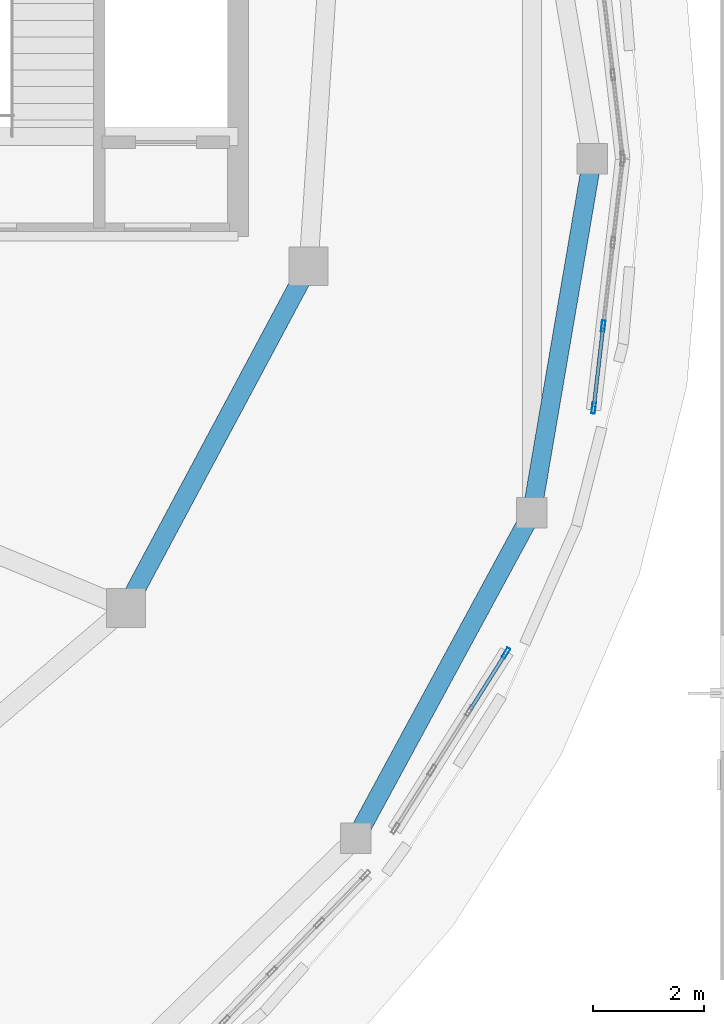
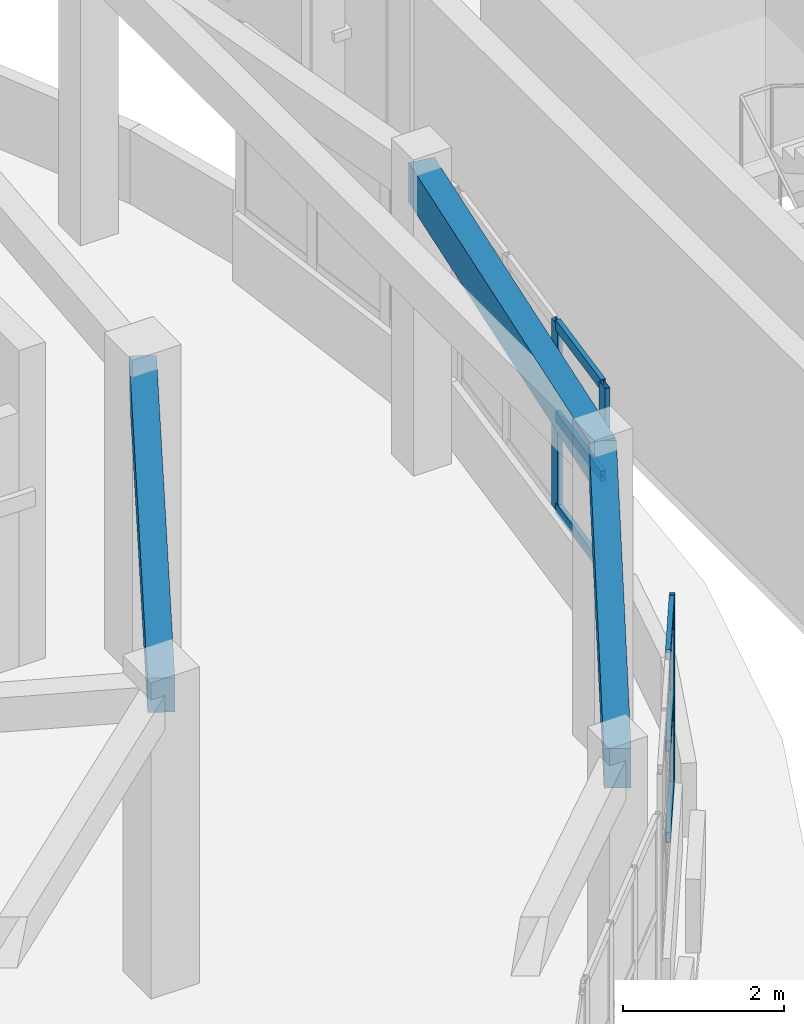
# One storey, part 49 of 98: 9 members, 3 beams, 2 elements without a shape of their own.
"""IFC4 building model written with IfcOpenShell, lengths in metres."""

from ifc_helpers import new_model, si_unit, direction, frame, origin, origin_2d, place, context, subcontext, project, spatial, rectangle, hollow_rectangle, extrude, material, layer, layer_set, material_profile, profile_set, type_object, element, aggregate, save


model = new_model("IFC4")

# Units and contexts
model_context = context("Model", 3, precision=1e-05, world=origin(), true_north=direction((0.0, 1.0)))
body_context = subcontext(model_context, "Body", "Model", "MODEL_VIEW")
ifc_project = project(units=[si_unit("LENGTHUNIT", "METRE"), si_unit("AREAUNIT", "SQUARE_METRE"), si_unit("VOLUMEUNIT", "CUBIC_METRE"), si_unit("PLANEANGLEUNIT", "RADIAN"), si_unit("MASSUNIT", "GRAM", prefix="KILO")], contexts=[model_context])

# Site, building, storey
site_placement = place(None, origin())
site = spatial("IfcSite", under=ifc_project, at=site_placement, CompositionType="ELEMENT")
building_placement = place(site_placement, origin())
building = spatial("IfcBuilding", under=site, at=building_placement, Name="Pelvatis Terrace Science Centre", CompositionType="ELEMENT")
storey_placement = place(building_placement, frame((0.0, 0.0, 5.39990234375)))
storey = spatial("IfcBuildingStorey", under=building, at=storey_placement, Name="L01", CompositionType="ELEMENT", Elevation=5.39990234375)

# Beam
ifc_material_1 = material(Name="Concrete C35/45", Category="concrete")
ifc_material_profile_1 = material_profile(ifc_material_1, rectangle(XDim=0.340087890625, YDim=0.52001953125, at=origin_2d()), Name="RC-BM 340x520")
ifc_profile_set_1 = profile_set([ifc_material_profile_1], Name="Concrete C35/45")
beam_type_1 = type_object("IfcBeamType", Name="BM-RC-340x520", PredefinedType="BEAM", material=ifc_profile_set_1)
beam_1_placement = place(storey_placement, frame((129.57958984375, 74.6884765625, 4.280029296875), z_axis=(0.471365103295, 0.881938172094, 0.0), x_axis=(-0.881938172094, 0.471365103295, 0.0)))
element("IfcBeam", 1, at=beam_1_placement, inside=storey, type_object=beam_type_1, Name="Beam BM-L01-2649", PredefinedType="BEAM", context=body_context, shape_type="SweptSolid", body=[
    extrude(rectangle(XDim=0.340087890625, YDim=0.52001953125, at=origin_2d()), origin(), (0.0, 0.0, 1.0), 6.995849609375),
])

# Curtain wall, member
ifc_material_2 = material(Name="Bronze-anodised aluminium and laminated glass", Category="aluminium")
ifc_layer = layer(ifc_material_2, 0.199951171875)
ifc_layer_set = layer_set([ifc_layer], Name="Bronze-anodised aluminium and laminated glass")
curtain_wall_type = type_object("IfcCurtainWallType", Name="CW-RIBBON-B", PredefinedType="NOTDEFINED", material=ifc_layer_set)
curtain_wall_1_placement = place(storey_placement, origin())
curtain_wall_1 = element("IfcCurtainWall", 2, at=curtain_wall_1_placement, inside=storey, type_object=curtain_wall_type, Name="Ribbon curtain wall CW-152 (L01)", PredefinedType="NOTDEFINED")
ifc_material_3 = material(Name="Bronze-anodised aluminium 6063-T6", Category="aluminium")
ifc_material_profile_2 = material_profile(ifc_material_3, hollow_rectangle(XDim=0.06494140625, YDim=0.199951171875, WallThickness=0.00439453125, at=origin_2d()), Name="ALU-MUL 65x200")
ifc_profile_set_2 = profile_set([ifc_material_profile_2], Name="Bronze-anodised aluminium 6063-T6")
member_type_1 = type_object("IfcMemberType", Name="CWM-65x200", PredefinedType="MULLION", material=ifc_profile_set_2)
member_1_placement = place(storey_placement, frame((136.443115234375, 73.875, 1.02001953125), z_axis=(0.0, 0.0, 1.0), x_axis=(-0.84567026779, 0.53370572245, 0.0)))
member_1 = element("IfcMember", 3, at=member_1_placement, type_object=member_type_1, Name="CW-152 mullion 4", PredefinedType="MULLION", context=body_context, shape_type="SweptSolid", body=[
    extrude(hollow_rectangle(XDim=0.06494140625, YDim=0.199951171875, WallThickness=0.00439453125, at=origin_2d()), origin(), (0.0, 0.0, 1.0), 2.840087890625),
])

# Curtain wall, members
curtain_wall_2_placement = place(storey_placement, origin())
curtain_wall_2 = element("IfcCurtainWall", 4, at=curtain_wall_2_placement, inside=storey, type_object=curtain_wall_type, Name="Ribbon curtain wall CW-153 (L01)", PredefinedType="NOTDEFINED")
member_2_placement = place(storey_placement, frame((138.0263671875, 78.29638671875, 1.02001953125), z_axis=(0.0, 0.0, 1.0), x_axis=(-0.993307847727, 0.115496838239, 0.0)))
member_2 = element("IfcMember", 5, at=member_2_placement, type_object=member_type_1, Name="CW-153 mullion 1", PredefinedType="MULLION", context=body_context, shape_type="SweptSolid", body=[
    extrude(hollow_rectangle(XDim=0.06494140625, YDim=0.199951171875, WallThickness=0.00439453125, at=origin_2d()), origin(), (0.0, 0.0, 1.0), 2.840087890625),
])
member_3_placement = place(storey_placement, frame((138.198486328125, 79.776123046875, 1.02001953125), z_axis=(0.0, 0.0, 1.0), x_axis=(-0.993307847727, 0.115496838239, 0.0)))
member_3 = element("IfcMember", 6, at=member_3_placement, type_object=member_type_1, Name="CW-153 mullion 2", PredefinedType="MULLION", context=body_context, shape_type="SweptSolid", body=[
    extrude(hollow_rectangle(XDim=0.06494140625, YDim=0.199951171875, WallThickness=0.00439453125, at=origin_2d()), origin(), (0.0, 0.0, 1.0), 2.840087890625),
])

# Member
ifc_material_4 = material(Name="Bronze-anodised aluminium 6063-T6", Category="aluminium")
ifc_material_profile_3 = material_profile(ifc_material_4, hollow_rectangle(XDim=0.06494140625, YDim=0.159912109375, WallThickness=0.00390625, at=origin_2d()), Name="ALU-TRN 65x160")
ifc_profile_set_3 = profile_set([ifc_material_profile_3], Name="Bronze-anodised aluminium 6063-T6")
member_type_2 = type_object("IfcMemberType", Name="CWT-65x160", PredefinedType="USERDEFINED", material=ifc_profile_set_3)
member_4_placement = place(storey_placement, frame((135.7998046875, 72.855712890625, 1.052490234375), z_axis=(0.533679709208, 0.845686684287, 0.0), x_axis=(-0.845686684287, 0.533679709208, 0.0)))
member_4 = element("IfcMember", 7, at=member_4_placement, type_object=member_type_2, Name="CW-152 transom 3.1", ObjectType="TRANSOM", PredefinedType="USERDEFINED", context=body_context, shape_type="SweptSolid", body=[
    extrude(hollow_rectangle(XDim=0.06494140625, YDim=0.159912109375, WallThickness=0.00390625, at=origin_2d()), origin(), (0.0, 0.0, 1.0), 1.1728515625),
])

member_5_placement = place(storey_placement, frame((135.7998046875, 72.855712890625, 2.440185546875), z_axis=(0.533679709208, 0.845686684287, 0.0), x_axis=(-0.845686684287, 0.533679709208, 0.0)))
member_5 = element("IfcMember", 8, at=member_5_placement, type_object=member_type_2, Name="CW-152 transom 3.2", ObjectType="TRANSOM", PredefinedType="USERDEFINED", context=body_context, shape_type="SweptSolid", body=[
    extrude(hollow_rectangle(XDim=0.06494140625, YDim=0.159912109375, WallThickness=0.00390625, at=origin_2d()), origin(), (0.0, 0.0, 1.0), 1.1728515625),
])

member_6_placement = place(storey_placement, frame((135.7998046875, 72.855712890625, 3.82763671875), z_axis=(0.533679709208, 0.845686684287, 0.0), x_axis=(-0.845686684287, 0.533679709208, 0.0)))
member_6 = element("IfcMember", 9, at=member_6_placement, type_object=member_type_2, Name="CW-152 transom 3.3", ObjectType="TRANSOM", PredefinedType="USERDEFINED", context=body_context, shape_type="SweptSolid", body=[
    extrude(hollow_rectangle(XDim=0.06494140625, YDim=0.159912109375, WallThickness=0.00390625, at=origin_2d()), origin(), (0.0, 0.0, 1.0), 1.1728515625),
])

aggregate(curtain_wall_1, [member_1, member_4, member_5, member_6])

member_7_placement = place(storey_placement, frame((138.030029296875, 78.328857421875, 1.052490234375), z_axis=(0.1155087229, 0.993306465767, 0.0), x_axis=(-0.993306465767, 0.1155087229, 0.0)))
member_7 = element("IfcMember", 10, at=member_7_placement, type_object=member_type_2, Name="CW-153 transom 1.1", ObjectType="TRANSOM", PredefinedType="USERDEFINED", context=body_context, shape_type="SweptSolid", body=[
    extrude(hollow_rectangle(XDim=0.06494140625, YDim=0.159912109375, WallThickness=0.00390625, at=origin_2d()), origin(), (0.0, 0.0, 1.0), 1.424560546875),
])

member_8_placement = place(storey_placement, frame((138.030029296875, 78.328857421875, 2.440185546875), z_axis=(0.1155087229, 0.993306465767, 0.0), x_axis=(-0.993306465767, 0.1155087229, 0.0)))
member_8 = element("IfcMember", 11, at=member_8_placement, type_object=member_type_2, Name="CW-153 transom 1.2", ObjectType="TRANSOM", PredefinedType="USERDEFINED", context=body_context, shape_type="SweptSolid", body=[
    extrude(hollow_rectangle(XDim=0.06494140625, YDim=0.159912109375, WallThickness=0.00390625, at=origin_2d()), origin(), (0.0, 0.0, 1.0), 1.424560546875),
])

member_9_placement = place(storey_placement, frame((138.030029296875, 78.328857421875, 3.82763671875), z_axis=(0.1155087229, 0.993306465767, 0.0), x_axis=(-0.993306465767, 0.1155087229, 0.0)))
member_9 = element("IfcMember", 12, at=member_9_placement, type_object=member_type_2, Name="CW-153 transom 1.3", ObjectType="TRANSOM", PredefinedType="USERDEFINED", context=body_context, shape_type="SweptSolid", body=[
    extrude(hollow_rectangle(XDim=0.06494140625, YDim=0.159912109375, WallThickness=0.00390625, at=origin_2d()), origin(), (0.0, 0.0, 1.0), 1.424560546875),
])

aggregate(curtain_wall_2, [member_2, member_3, member_7, member_8, member_9])

# Beams
ifc_material_5 = material(Name="Concrete C35/45", Category="concrete")
ifc_material_profile_4 = material_profile(ifc_material_5, rectangle(XDim=0.340087890625, YDim=0.60009765625, at=origin_2d()), Name="RC-SPN 340x600")
ifc_profile_set_4 = profile_set([ifc_material_profile_4], Name="Concrete C35/45")
beam_type_2 = type_object("IfcBeamType", Name="SPN-RC-340x600", PredefinedType="SPANDREL", material=ifc_profile_set_4)
beam_2_placement = place(storey_placement, frame((138.0, 82.800048828125, 4.239990234375), z_axis=(-0.167955755204, -0.985794534522, 0.0), x_axis=(0.985794534522, -0.167955755204, 0.0)))
element("IfcBeam", 13, at=beam_2_placement, inside=storey, type_object=beam_type_2, Name="Spandrel SP-L01-2655", PredefinedType="SPANDREL", context=body_context, shape_type="SweptSolid", body=[
    extrude(rectangle(XDim=0.340087890625, YDim=0.60009765625, at=origin_2d()), origin(), (0.0, 0.0, 1.0), 6.4873046875),
])
beam_3_placement = place(storey_placement, frame((133.729736328125, 70.527587890625, 4.239990234375), z_axis=(0.475957110395, 0.879468492366, 0.0), x_axis=(-0.879468492366, 0.475957110395, 0.0)))
element("IfcBeam", 14, at=beam_3_placement, inside=storey, type_object=beam_type_2, Name="Spandrel SP-L01-2663", PredefinedType="SPANDREL", context=body_context, shape_type="SweptSolid", body=[
    extrude(rectangle(XDim=0.340087890625, YDim=0.60009765625, at=origin_2d()), origin(), (0.0, 0.0, 1.0), 6.6826171875),
])

save(model, "model.ifc")
